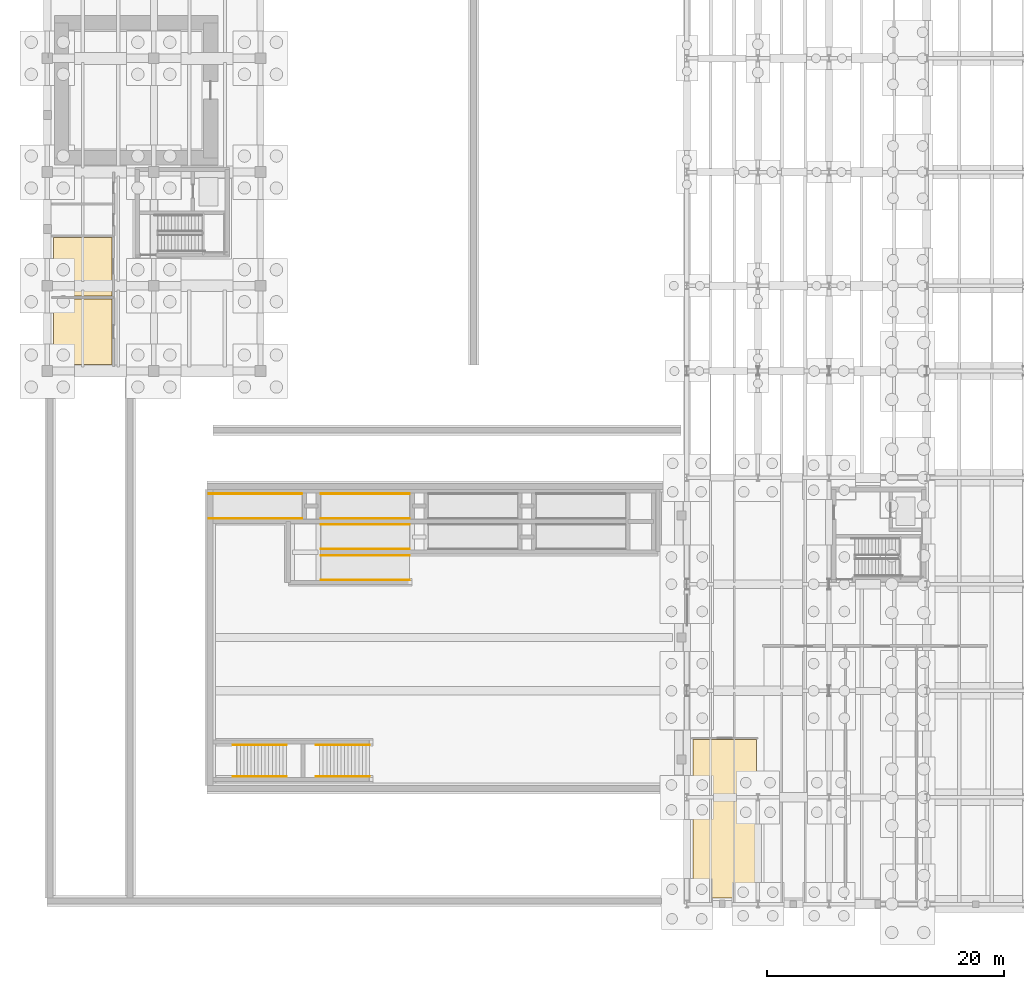
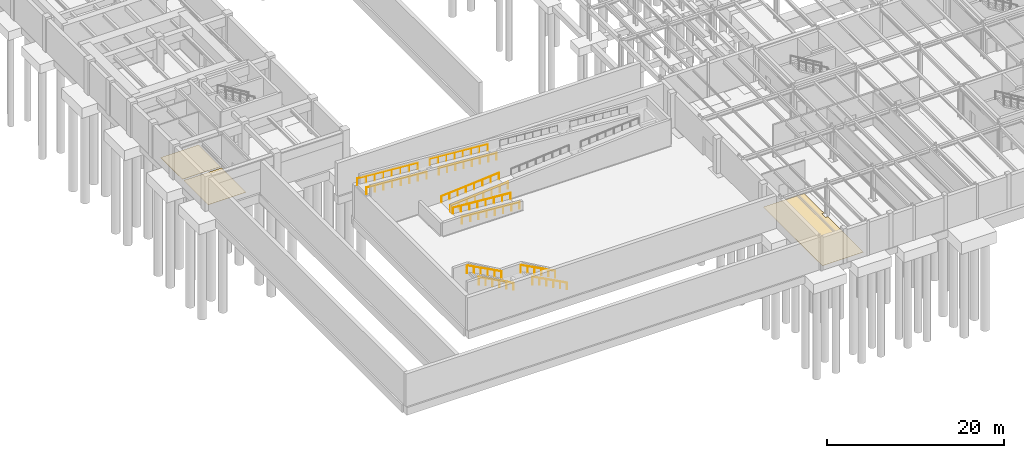
# One storey, part 50 of 59: 12 railings, 3 coverings.
"""IFC4 building model written with IfcOpenShell, lengths in metres."""

from ifc_helpers import new_model, si_unit, direction, frame, origin, origin_2d, place, context, subcontext, project, spatial, polyline, circle, outline, extrude, material, layer, layer_set, type_object, element, save


model = new_model("IFC4")

# Units and contexts
model_context = context("Model", 3, precision=1e-05, world=origin(), true_north=direction((0.0, 1.0)))
body_context = subcontext(model_context, "Body", "Model", "MODEL_VIEW")
ifc_project = project(units=[si_unit("LENGTHUNIT", "METRE"), si_unit("AREAUNIT", "SQUARE_METRE"), si_unit("VOLUMEUNIT", "CUBIC_METRE"), si_unit("PLANEANGLEUNIT", "RADIAN"), si_unit("MASSUNIT", "GRAM", prefix="KILO")], contexts=[model_context])

# Site, building, storey
site_placement = place(None, origin())
site = spatial("IfcSite", under=ifc_project, at=site_placement, CompositionType="ELEMENT")
building_placement = place(site_placement, origin())
building = spatial("IfcBuilding", under=site, at=building_placement, Name="Montealbar Specialist Clinic", CompositionType="ELEMENT")
storey_placement = place(building_placement, frame((0.0, 0.0, -4.800048828125)))
storey = spatial("IfcBuildingStorey", under=building, at=storey_placement, Name="B01", CompositionType="ELEMENT", Elevation=-4.800048828125)

# Coverings
ifc_material_1 = material(Name="Antimicrobial clinical linoleum", Category="wood")
ifc_layer_1 = layer(ifc_material_1, 0.02001953125, Name="Antimicrobial clinical linoleum", Category="wood")
ifc_layer_set_1 = layer_set([ifc_layer_1], Name="Antimicrobial clinical linoleum")
covering_type = type_object("IfcCoveringType", Name="COV-FLR-LINOLEUM", PredefinedType="FLOORING", material=ifc_layer_set_1)
covering_1_placement = place(storey_placement, origin())
element("IfcCovering", 1, at=covering_1_placement, inside=storey, type_object=covering_type, Name="Clinical Flooring Radiotherapy Dosimetry Consulting Room", PredefinedType="FLOORING", context=body_context, shape_type="SweptSolid", body=[
    extrude(outline(polyline([(0.530029296875, 51.070068359375), (5.469970703125, 51.070068359375), (5.469970703125, 45.530029296875), (0.530029296875, 45.530029296875), (0.530029296875, 51.070068359375)])), origin(), (0.0, 0.0, 1.0), 0.02001953125),
])
covering_2_placement = place(storey_placement, origin())
element("IfcCovering", 2, at=covering_2_placement, inside=storey, type_object=covering_type, Name="Clinical Flooring Radiopharmacy Hot Prep Laboratory", PredefinedType="FLOORING", context=body_context, shape_type="SweptSolid", body=[
    extrude(outline(polyline([(0.530029296875, 56.27001953125), (5.469970703125, 56.27001953125), (5.469970703125, 51.330078125), (0.530029296875, 51.330078125), (0.530029296875, 56.27001953125)])), origin(), (0.0, 0.0, 1.0), 0.02001953125),
])
covering_3_placement = place(storey_placement, origin())
element("IfcCovering", 3, at=covering_3_placement, inside=storey, type_object=covering_type, Name="Clinical Flooring Metro Arrival Patient Triage & Admissions Clinic", PredefinedType="FLOORING", context=body_context, shape_type="SweptSolid", body=[
    extrude(outline(polyline([(54.530029296875, 13.8701171875), (59.8701171875, 13.8701171875), (59.8701171875, 9.419921875), (59.580078125, 9.419921875), (59.580078125, 8.580078125), (59.8701171875, 8.580078125), (59.8701171875, 0.530029296875), (54.530029296875, 0.530029296875), (54.530029296875, 13.8701171875)])), origin(), (0.0, 0.0, 1.0), 0.02001953125),
])

# Railings
ifc_material_2 = material(Name="Steel S355", Category="steel")
ifc_layer_2 = layer(ifc_material_2, 0.050048828125, Name="Steel S355", Category="steel")
ifc_layer_set_2 = layer_set([ifc_layer_2], Name="Steel S355")
railing_type = type_object("IfcRailingType", Name="RAIL-RAMP-HR-900", PredefinedType="HANDRAIL", material=ifc_layer_set_2)
for number, where, name in (
    (4, (27.199951171875, 10.760009765625, 0.16015625), "Grand Stair ST-M1 Lower Handrail S"),
    (5, (20.199951171875, 10.760009765625, 2.56005859375), "Grand Stair ST-M1 Upper Handrail S"),
    (6, (27.199951171875, 13.43994140625, 0.16015625), "Grand Stair ST-M1 Lower Handrail N"),
    (7, (20.199951171875, 13.43994140625, 2.56005859375), "Grand Stair ST-M1 Upper Handrail N"),
):
    element("IfcRailing", number, at=place(storey_placement, frame(where)), inside=storey, type_object=railing_type, Name=name, PredefinedType="HANDRAIL", context=body_context, shape_type="SweptSolid", body=[
        extrude(circle(Radius=0.02392578125, at=origin_2d()), frame((0.0, 0.0, 0.8759765625), z_axis=(-0.882360891967, 0.0, 0.470573327259), x_axis=(0.0, -1.0, 0.0)), (0.0, 0.0, 1.0), 5.099853515625),
        extrude(circle(Radius=0.02099609375, at=origin_2d()), frame((0.0, 0.0, -0.02490234375)), (0.0, 0.0, 1.0), 0.876708984375),
        extrude(circle(Radius=0.02099609375, at=origin_2d()), frame((-0.89990234375, 0.0, 0.455078125)), (0.0, 0.0, 1.0), 0.876708984375),
        extrude(circle(Radius=0.02099609375, at=origin_2d()), frame((-1.800048828125, 0.0, 0.93505859375)), (0.0, 0.0, 1.0), 0.876708984375),
        extrude(circle(Radius=0.02099609375, at=origin_2d()), frame((-2.699951171875, 0.0, 1.4150390625)), (0.0, 0.0, 1.0), 0.876708984375),
        extrude(circle(Radius=0.02099609375, at=origin_2d()), frame((-3.60009765625, 0.0, 1.89501953125)), (0.0, 0.0, 1.0), 0.876708984375),
        extrude(circle(Radius=0.02099609375, at=origin_2d()), frame((-4.5, 0.0, 2.215087890625)), (0.0, 0.0, 1.0), 1.03662109375),
    ])
for number, where, name in (
    (8, (21.5, 32.56005859375, 4.199951171875), "Accessible Ramp Handrail PR-01-S"),
    (9, (21.5, 34.639892578125, 4.199951171875), "Accessible Ramp Handrail PR-01-N"),
):
    element("IfcRailing", number, at=place(storey_placement, frame(where)), inside=storey, type_object=railing_type, Name=name, PredefinedType="HANDRAIL", context=body_context, shape_type="SweptSolid", body=[
        extrude(circle(Radius=0.02392578125, at=origin_2d()), frame((0.0, 0.0, 0.8759765625), z_axis=(-0.997090854886, 0.0, 0.076222221848), x_axis=(0.0, -1.0, 0.0)), (0.0, 0.0, 1.0), 7.873046875),
        extrude(circle(Radius=0.02099609375, at=origin_2d()), frame((0.0, 0.0, -0.02490234375)), (0.0, 0.0, 1.0), 0.876708984375),
        extrude(circle(Radius=0.02099609375, at=origin_2d()), frame((-1.121337890625, 0.0, 0.060791015625)), (0.0, 0.0, 1.0), 0.876708984375),
        extrude(circle(Radius=0.02099609375, at=origin_2d()), frame((-2.242919921875, 0.0, 0.146484375)), (0.0, 0.0, 1.0), 0.876708984375),
        extrude(circle(Radius=0.02099609375, at=origin_2d()), frame((-3.3642578125, 0.0, 0.232177734375)), (0.0, 0.0, 1.0), 0.876708984375),
        extrude(circle(Radius=0.02099609375, at=origin_2d()), frame((-4.48583984375, 0.0, 0.31787109375)), (0.0, 0.0, 1.0), 0.876708984375),
        extrude(circle(Radius=0.02099609375, at=origin_2d()), frame((-5.607177734375, 0.0, 0.403564453125)), (0.0, 0.0, 1.0), 0.876708984375),
        extrude(circle(Radius=0.02099609375, at=origin_2d()), frame((-6.728759765625, 0.0, 0.4892578125)), (0.0, 0.0, 1.0), 0.876708984375),
        extrude(circle(Radius=0.02099609375, at=origin_2d()), frame((-7.85009765625, 0.0, 0.5751953125)), (0.0, 0.0, 1.0), 0.876708984375),
    ])
for number, where, name in (
    (10, (30.60009765625, 32.56005859375, 3.60009765625), "Accessible Ramp Handrail PR-02-S"),
    (11, (30.60009765625, 34.639892578125, 3.60009765625), "Accessible Ramp Handrail PR-02-N"),
):
    element("IfcRailing", number, at=place(storey_placement, frame(where)), inside=storey, type_object=railing_type, Name=name, PredefinedType="HANDRAIL", context=body_context, shape_type="SweptSolid", body=[
        extrude(circle(Radius=0.02392578125, at=origin_2d()), frame((0.0, 0.0, 0.8759765625), z_axis=(-0.99681682597, 0.0, 0.079725876999), x_axis=(0.0, -1.0, 0.0)), (0.0, 0.0, 1.0), 7.52392578125),
        extrude(circle(Radius=0.02099609375, at=origin_2d()), frame((0.0, 0.0, -0.02490234375)), (0.0, 0.0, 1.0), 0.876708984375),
        extrude(circle(Radius=0.02099609375, at=origin_2d()), frame((-1.071533203125, 0.0, 0.060791015625)), (0.0, 0.0, 1.0), 0.876708984375),
        extrude(circle(Radius=0.02099609375, at=origin_2d()), frame((-2.142822265625, 0.0, 0.146484375)), (0.0, 0.0, 1.0), 0.876708984375),
        extrude(circle(Radius=0.02099609375, at=origin_2d()), frame((-3.21435546875, 0.0, 0.232177734375)), (0.0, 0.0, 1.0), 0.876708984375),
        extrude(circle(Radius=0.02099609375, at=origin_2d()), frame((-4.28564453125, 0.0, 0.31787109375)), (0.0, 0.0, 1.0), 0.876708984375),
        extrude(circle(Radius=0.02099609375, at=origin_2d()), frame((-5.357177734375, 0.0, 0.403564453125)), (0.0, 0.0, 1.0), 0.876708984375),
        extrude(circle(Radius=0.02099609375, at=origin_2d()), frame((-6.428466796875, 0.0, 0.4892578125)), (0.0, 0.0, 1.0), 0.876708984375),
        extrude(circle(Radius=0.02099609375, at=origin_2d()), frame((-7.5, 0.0, 0.574951171875)), (0.0, 0.0, 1.0), 0.876708984375),
    ])
for number, where, name in (
    (12, (23.10009765625, 29.9599609375, 0.60009765625), "Accessible Ramp Handrail PR-07-S"),
    (13, (23.10009765625, 32.0400390625, 0.60009765625), "Accessible Ramp Handrail PR-07-N"),
):
    element("IfcRailing", number, at=place(storey_placement, frame(where)), inside=storey, type_object=railing_type, Name=name, PredefinedType="HANDRAIL", context=body_context, shape_type="SweptSolid", body=[
        extrude(circle(Radius=0.02392578125, at=origin_2d()), frame((0.0, 0.0, 0.8759765625), z_axis=(0.99681682597, 0.0, 0.079725876999), x_axis=(0.0, 1.0, 0.0)), (0.0, 0.0, 1.0), 7.52392578125),
        extrude(circle(Radius=0.02099609375, at=origin_2d()), frame((0.0, 0.0, -0.02490234375)), (0.0, 0.0, 1.0), 0.876708984375),
        extrude(circle(Radius=0.02099609375, at=origin_2d()), frame((1.071533203125, 0.0, 0.060791015625)), (0.0, 0.0, 1.0), 0.876708984375),
        extrude(circle(Radius=0.02099609375, at=origin_2d()), frame((2.142822265625, 0.0, 0.146484375)), (0.0, 0.0, 1.0), 0.876708984375),
        extrude(circle(Radius=0.02099609375, at=origin_2d()), frame((3.21435546875, 0.0, 0.232177734375)), (0.0, 0.0, 1.0), 0.876708984375),
        extrude(circle(Radius=0.02099609375, at=origin_2d()), frame((4.28564453125, 0.0, 0.31787109375)), (0.0, 0.0, 1.0), 0.876708984375),
        extrude(circle(Radius=0.02099609375, at=origin_2d()), frame((5.357177734375, 0.0, 0.403564453125)), (0.0, 0.0, 1.0), 0.876708984375),
        extrude(circle(Radius=0.02099609375, at=origin_2d()), frame((6.428466796875, 0.0, 0.4892578125)), (0.0, 0.0, 1.0), 0.876708984375),
        extrude(circle(Radius=0.02099609375, at=origin_2d()), frame((7.5, 0.0, 0.574951171875)), (0.0, 0.0, 1.0), 0.876708984375),
    ])
for number, where, name in (
    (14, (30.60009765625, 27.360107421875, 0.0), "Accessible Ramp Handrail PR-08-S"),
    (15, (30.60009765625, 29.43994140625, 0.0), "Accessible Ramp Handrail PR-08-N"),
):
    element("IfcRailing", number, at=place(storey_placement, frame(where)), inside=storey, type_object=railing_type, Name=name, PredefinedType="HANDRAIL", context=body_context, shape_type="SweptSolid", body=[
        extrude(circle(Radius=0.02392578125, at=origin_2d()), frame((0.0, 0.0, 0.8759765625), z_axis=(-0.996814246708, 0.0, 0.079758119089), x_axis=(0.0, -1.0, 0.0)), (0.0, 0.0, 1.0), 7.52392578125),
        extrude(circle(Radius=0.02099609375, at=origin_2d()), frame((0.0, 0.0, -0.02490234375)), (0.0, 0.0, 1.0), 0.876708984375),
        extrude(circle(Radius=0.02099609375, at=origin_2d()), frame((-1.071533203125, 0.0, 0.060791015625)), (0.0, 0.0, 1.0), 0.876708984375),
        extrude(circle(Radius=0.02099609375, at=origin_2d()), frame((-2.142822265625, 0.0, 0.146484375)), (0.0, 0.0, 1.0), 0.876708984375),
        extrude(circle(Radius=0.02099609375, at=origin_2d()), frame((-3.21435546875, 0.0, 0.232177734375)), (0.0, 0.0, 1.0), 0.876708984375),
        extrude(circle(Radius=0.02099609375, at=origin_2d()), frame((-4.28564453125, 0.0, 0.31787109375)), (0.0, 0.0, 1.0), 0.876708984375),
        extrude(circle(Radius=0.02099609375, at=origin_2d()), frame((-5.357177734375, 0.0, 0.403564453125)), (0.0, 0.0, 1.0), 0.876708984375),
        extrude(circle(Radius=0.02099609375, at=origin_2d()), frame((-6.428466796875, 0.0, 0.4892578125)), (0.0, 0.0, 1.0), 0.876708984375),
        extrude(circle(Radius=0.02099609375, at=origin_2d()), frame((-7.5, 0.0, 0.5751953125)), (0.0, 0.0, 1.0), 0.876708984375),
    ])

save(model, "model.ifc")
